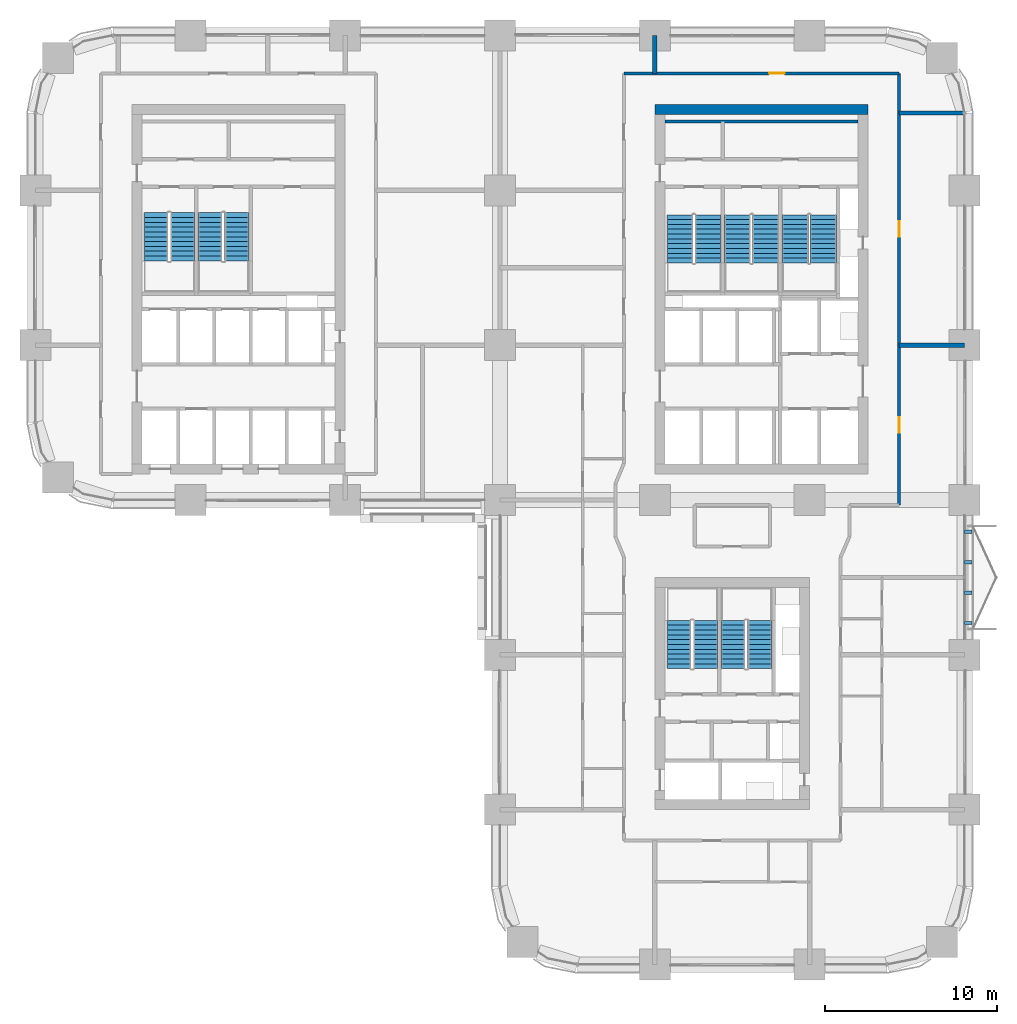
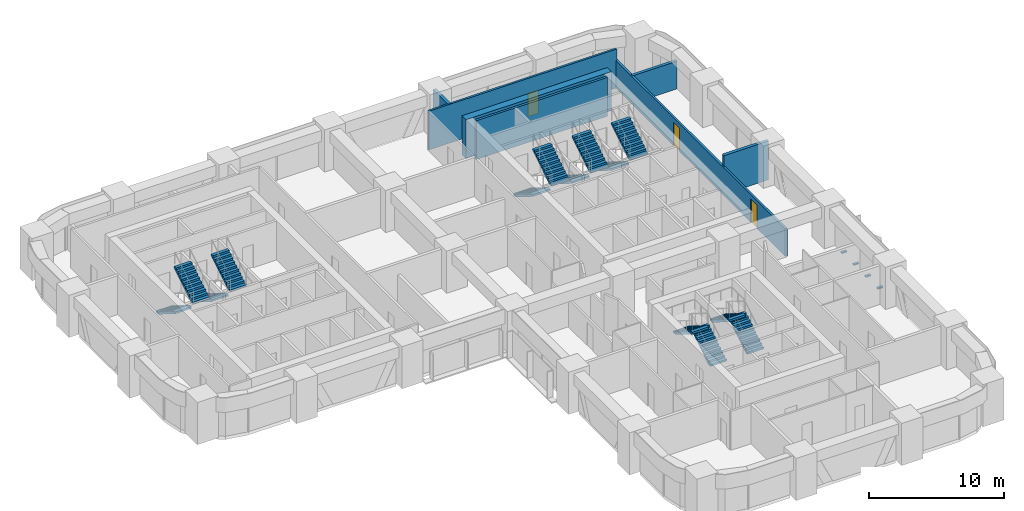
# One storey, part 16 of 18: 14 stair flights, 7 walls, 4 discrete accessories, 3 doors, 3 openings, 7 elements without a shape of their own.
"""IFC4 building model written with IfcOpenShell, lengths in metres."""

from ifc_helpers import new_model, si_unit, direction, frame, frame_2d, origin, origin_2d, place, context, subcontext, project, spatial, polyline, rectangle, outline, extrude, material, layer, layer_set, type_object, element, fill, aggregate, save


model = new_model("IFC4")

# Units and contexts
model_context = context("Model", 3, precision=1e-05, world=origin(), true_north=direction((0.0, 1.0)))
body_context = subcontext(model_context, "Body", "Model", "MODEL_VIEW")
ifc_project = project(units=[si_unit("LENGTHUNIT", "METRE"), si_unit("AREAUNIT", "SQUARE_METRE"), si_unit("VOLUMEUNIT", "CUBIC_METRE"), si_unit("PLANEANGLEUNIT", "RADIAN"), si_unit("MASSUNIT", "GRAM", prefix="KILO")], contexts=[model_context])

# Site, building, storey
site_placement = place(None, origin())
site = spatial("IfcSite", under=ifc_project, at=site_placement, CompositionType="ELEMENT")
building_placement = place(site_placement, origin())
building = spatial("IfcBuilding", under=site, at=building_placement, Name="Tessera Arch", CompositionType="ELEMENT")
storey_placement = place(building_placement, frame((0.0, 0.0, 104.39990234375)))
storey = spatial("IfcBuildingStorey", under=building, at=storey_placement, Name="L24", CompositionType="ELEMENT", Elevation=104.39990234375)

# Walls
ifc_material_1 = material(Name="Gypsum board on steel stud", Category="steel")
ifc_layer_1 = layer(ifc_material_1, 0.125)
ifc_layer_set_1 = layer_set([ifc_layer_1], Name="Core partition 125 EI 60")
wall_type_1 = type_object("IfcWallType", Name="Core partition 125 EI 60", PredefinedType="PARTITIONING", material=ifc_layer_set_1)
wall_1_placement = place(storey_placement, frame((36.60009765625, 49.0, 0.0), z_axis=(0.0, 0.0, 1.0), x_axis=(1.0, 0.0, 0.0)))
element("IfcWall", 1, at=wall_1_placement, inside=storey, type_object=wall_type_1, Name="L24 C1 partition wall 32", PredefinedType="PARTITIONING", context=body_context, shape_type="SweptSolid", body=[
    extrude(rectangle(XDim=11.199951171875, YDim=0.199951171875, at=frame_2d((5.60009765625, 0.0))), origin(), (0.0, 0.0, 1.0), 3.5),
])
ifc_material_2 = material(Name="Concrete C70/85", Category="concrete")
ifc_layer_2 = layer(ifc_material_2, 0.60009765625)
ifc_layer_set_2 = layer_set([ifc_layer_2], Name="Core shell wall 600 C70-85")
wall_type_2 = type_object("IfcWallType", Name="Core shell wall 600 C70-85", PredefinedType="SHEAR", material=ifc_layer_set_2)
wall_2_placement = place(storey_placement, frame((36.0, 49.699951171875, 0.0), z_axis=(0.0, 0.0, 1.0), x_axis=(1.0, 0.0, 0.0)))
element("IfcWall", 2, at=wall_2_placement, inside=storey, type_object=wall_type_2, Name="L24 C1 core wall N", PredefinedType="SHEAR", context=body_context, shape_type="SweptSolid", body=[
    extrude(rectangle(XDim=12.39990234375, YDim=0.60009765625, at=frame_2d((6.199951171875, 0.0))), origin(), (0.0, 0.0, 1.0), 3.5),
])

# Wall, opening, door
ifc_material_3 = material(Name="Gypsum board on deep steel stud with mineral wool", Category="steel")
ifc_layer_3 = layer(ifc_material_3, 0.175048828125)
ifc_layer_set_3 = layer_set([ifc_layer_3], Name="Corridor wall 175 EI 60")
wall_type_3 = type_object("IfcWallType", Name="Corridor wall 175 EI 60", PredefinedType="PARTITIONING", material=ifc_layer_set_3)
wall_3_placement = place(storey_placement, frame((34.199951171875, 51.800048828125, 0.0), z_axis=(0.0, 0.0, 1.0), x_axis=(1.0, 0.0, 0.0)))
wall_3 = element("IfcWall", 3, at=wall_3_placement, inside=storey, type_object=wall_type_3, Name="L24 partition 8", PredefinedType="PARTITIONING", context=body_context, shape_type="SweptSolid", body=[
    extrude(rectangle(XDim=16.0, YDim=0.175048828125, at=frame_2d((8.0, 0.0))), origin(), (0.0, 0.0, 1.0), 3.5),
])
opening_1_placement = place(wall_3_placement, frame((8.449951171875, 0.0, 0.0)))
opening_1 = element("IfcOpeningElement", 4, at=opening_1_placement, cuts=wall_3, Name="Opening L24-D033", PredefinedType="OPENING", context=body_context, shape_type="SweptSolid", body=[
    extrude(rectangle(XDim=0.89990234375, YDim=2.10009765625, at=frame_2d((0.449951171875, 1.050048828125))), frame((0.0, 0.097412109375, 0.0), z_axis=(0.0, -1.0, 0.0), x_axis=(1.0, 0.0, 0.0)), (0.0, 0.0, 1.0), 0.195068359375),
])
ifc_material_4 = material(Name="Timber door leaf", Category="wood")
door_type = type_object("IfcDoorType", Name="Room door 900 x 2100", OperationType="SINGLE_SWING_LEFT", PredefinedType="DOOR", material=ifc_material_4)
door_1_placement = place(opening_1_placement, origin())
door_1 = element("IfcDoor", 5, at=door_1_placement, inside=storey, type_object=door_type, Name="L24 door D033 type D01", OperationType="SINGLE_SWING_LEFT", OverallHeight=2.10009765625, OverallWidth=0.89990234375, PredefinedType="DOOR", context=body_context, shape_type="SweptSolid", body=[
    extrude(rectangle(XDim=0.89990234375, YDim=2.10009765625, at=frame_2d((0.449951171875, 1.050048828125))), frame((0.0, 0.02490234375, 0.0), z_axis=(0.0, -1.0, 0.0), x_axis=(1.0, 0.0, 0.0)), (0.0, 0.0, 1.0), 0.050048828125),
])
fill(opening_1, door_1)

# Wall, openings, doors
wall_4_placement = place(storey_placement, frame((50.199951171875, 26.699951171875, 0.0), z_axis=(0.0, 0.0, 1.0), x_axis=(0.0, 1.0, 0.0)))
wall_4 = element("IfcWall", 6, at=wall_4_placement, inside=storey, type_object=wall_type_3, Name="L24 partition 18", PredefinedType="PARTITIONING", context=body_context, shape_type="SweptSolid", body=[
    extrude(rectangle(XDim=25.10009765625, YDim=0.175048828125, at=frame_2d((12.550048828125, 0.0))), origin(), (0.0, 0.0, 1.0), 2.5),
])
opening_2_placement = place(wall_4_placement, frame((4.199951171875, 0.0, 0.0)))
opening_2 = element("IfcOpeningElement", 7, at=opening_2_placement, cuts=wall_4, Name="Opening L24-D019", PredefinedType="OPENING", context=body_context, shape_type="SweptSolid", body=[
    extrude(rectangle(XDim=0.89990234375, YDim=2.10009765625, at=frame_2d((0.449951171875, 1.050048828125))), frame((0.0, 0.097412109375, 0.0), z_axis=(0.0, -1.0, 0.0), x_axis=(1.0, 0.0, 0.0)), (0.0, 0.0, 1.0), 0.195068359375),
])
opening_3_placement = place(wall_4_placement, frame((15.60009765625, 0.0, 0.0)))
opening_3 = element("IfcOpeningElement", 8, at=opening_3_placement, cuts=wall_4, Name="Opening L24-D029", PredefinedType="OPENING", context=body_context, shape_type="SweptSolid", body=[
    extrude(rectangle(XDim=0.89990234375, YDim=2.10009765625, at=frame_2d((0.449951171875, 1.050048828125))), frame((0.0, 0.097412109375, 0.0), z_axis=(0.0, -1.0, 0.0), x_axis=(1.0, 0.0, 0.0)), (0.0, 0.0, 1.0), 0.195068359375),
])
door_2_placement = place(opening_2_placement, origin())
door_2 = element("IfcDoor", 9, at=door_2_placement, inside=storey, type_object=door_type, Name="L24 door D019 type D01", OperationType="SINGLE_SWING_RIGHT", OverallHeight=2.10009765625, OverallWidth=0.89990234375, PredefinedType="DOOR", context=body_context, shape_type="SweptSolid", body=[
    extrude(rectangle(XDim=0.89990234375, YDim=2.10009765625, at=frame_2d((0.449951171875, 1.050048828125))), frame((0.0, 0.02490234375, 0.0), z_axis=(0.0, -1.0, 0.0), x_axis=(1.0, 0.0, 0.0)), (0.0, 0.0, 1.0), 0.050048828125),
])
fill(opening_2, door_2)
door_3_placement = place(opening_3_placement, origin())
door_3 = element("IfcDoor", 10, at=door_3_placement, inside=storey, type_object=door_type, Name="L24 door D029 type D01", OperationType="SINGLE_SWING_RIGHT", OverallHeight=2.10009765625, OverallWidth=0.89990234375, PredefinedType="DOOR", context=body_context, shape_type="SweptSolid", body=[
    extrude(rectangle(XDim=0.89990234375, YDim=2.10009765625, at=frame_2d((0.449951171875, 1.050048828125))), frame((0.0, 0.02490234375, 0.0), z_axis=(0.0, -1.0, 0.0), x_axis=(1.0, 0.0, 0.0)), (0.0, 0.0, 1.0), 0.050048828125),
])
fill(opening_3, door_3)

# Walls
ifc_material_5 = material(Name="Double gypsum board on twin steel stud with acoustic mineral wool", Category="steel")
ifc_layer_4 = layer(ifc_material_5, 0.25)
ifc_layer_set_4 = layer_set([ifc_layer_4], Name="Party wall 250 EI 60")
wall_type_4 = type_object("IfcWallType", Name="Party wall 250 EI 60", PredefinedType="PARTITIONING", material=ifc_layer_set_4)
wall_5_placement = place(storey_placement, frame((50.199951171875, 36.0, 0.0), z_axis=(0.0, 0.0, 1.0), x_axis=(1.0, 0.0, 0.0)))
element("IfcWall", 11, at=wall_5_placement, inside=storey, type_object=wall_type_4, Name="L24 partition 33", PredefinedType="PARTITIONING", context=body_context, shape_type="SweptSolid", body=[
    extrude(rectangle(XDim=3.800048828125, YDim=0.25, at=frame_2d((1.89990234375, 0.0))), origin(), (0.0, 0.0, 1.0), 3.5),
])
wall_6_placement = place(storey_placement, frame((50.199951171875, 49.5, 0.0), z_axis=(0.0, 0.0, 1.0), x_axis=(1.0, 0.0, 0.0)))
element("IfcWall", 12, at=wall_6_placement, inside=storey, type_object=wall_type_4, Name="L24 partition 37", PredefinedType="PARTITIONING", context=body_context, shape_type="SweptSolid", body=[
    extrude(rectangle(XDim=3.800048828125, YDim=0.25, at=frame_2d((1.89990234375, 0.0))), origin(), (0.0, 0.0, 1.0), 2.5),
])
wall_7_placement = place(storey_placement, frame((36.0, 51.800048828125, 0.0), z_axis=(0.0, 0.0, 1.0), x_axis=(0.0, 1.0, 0.0)))
element("IfcWall", 13, at=wall_7_placement, inside=storey, type_object=wall_type_4, Name="L24 partition 45", PredefinedType="PARTITIONING", context=body_context, shape_type="SweptSolid", body=[
    extrude(rectangle(XDim=2.199951171875, YDim=0.25, at=frame_2d((1.10009765625, 0.0))), origin(), (0.0, 0.0, 1.0), 3.5),
])

# Stair, stair flights
ifc_material_6 = material(Name="Concrete C40/50", Category="concrete")
stair_type_1 = type_object("IfcStairType", Name="Dogleg stair 1400", PredefinedType="HALF_TURN_STAIR", material=ifc_material_6)
stair_1_placement = place(storey_placement, origin())
stair_1 = element("IfcStair", 14, at=stair_1_placement, inside=storey, type_object=stair_type_1, Name="L24 S2a", PredefinedType="HALF_TURN_STAIR")
ifc_material_7 = material(Name="Concrete C40/50", Category="concrete")
stair_flight_type_1 = type_object("IfcStairFlightType", Name="Stair flight 1400", PredefinedType="STRAIGHT", material=ifc_material_7)
stair_flight_1_placement = place(storey_placement, frame((7.0, 43.699951171875, 0.0), z_axis=(0.0, 0.0, 1.0), x_axis=(0.0, -1.0, 0.0)))
stair_flight_1 = element("IfcStairFlight", 15, at=stair_flight_1_placement, type_object=stair_flight_type_1, Name="S2a flight 1", NumberOfRisers=11, NumberOfTreads=10, PredefinedType="STRAIGHT", RiserHeight=0.172727273, TreadLength=0.28, context=body_context, shape_type="SweptSolid", body=[
    extrude(outline(polyline([(0.0, 0.0), (0.0, 0.172607421875), (0.280029296875, 0.172607421875), (0.280029296875, 0.345458984375), (0.56005859375, 0.345458984375), (0.56005859375, 0.51806640625), (0.840087890625, 0.51806640625), (0.840087890625, 0.69091796875), (1.1201171875, 0.69091796875), (1.1201171875, 0.863525390625), (1.39990234375, 0.863525390625), (1.39990234375, 1.036376953125), (1.679931640625, 1.036376953125), (1.679931640625, 1.208984375), (1.9599609375, 1.208984375), (1.9599609375, 1.3818359375), (2.239990234375, 1.3818359375), (2.239990234375, 1.554443359375), (2.52001953125, 1.554443359375), (2.52001953125, 1.727294921875), (2.800048828125, 1.727294921875), (2.800048828125, 1.89990234375), (2.800048828125, 1.551025390625), (0.285400390625, 0.0), (0.0, 0.0)])), frame((0.0, 0.699951171875, 0.0), z_axis=(0.0, -1.0, 0.0), x_axis=(1.0, 0.0, 0.0)), (0.0, 0.0, 1.0), 1.39990234375),
])
stair_flight_2_placement = place(storey_placement, frame((8.550048828125, 40.89990234375, 1.900146484375), z_axis=(0.0, 0.0, 1.0), x_axis=(0.0, 1.0, 0.0)))
stair_flight_2 = element("IfcStairFlight", 16, at=stair_flight_2_placement, type_object=stair_flight_type_1, Name="S2a flight 2", NumberOfRisers=11, NumberOfTreads=10, PredefinedType="STRAIGHT", RiserHeight=0.172727273, TreadLength=0.28, context=body_context, shape_type="SweptSolid", body=[
    extrude(outline(polyline([(0.0, 0.0), (0.0, 0.172607421875), (0.280029296875, 0.172607421875), (0.280029296875, 0.345458984375), (0.56005859375, 0.345458984375), (0.56005859375, 0.51806640625), (0.840087890625, 0.51806640625), (0.840087890625, 0.69091796875), (1.1201171875, 0.69091796875), (1.1201171875, 0.863525390625), (1.39990234375, 0.863525390625), (1.39990234375, 1.036376953125), (1.679931640625, 1.036376953125), (1.679931640625, 1.208984375), (1.9599609375, 1.208984375), (1.9599609375, 1.3818359375), (2.239990234375, 1.3818359375), (2.239990234375, 1.554443359375), (2.52001953125, 1.554443359375), (2.52001953125, 1.727294921875), (2.800048828125, 1.727294921875), (2.800048828125, 1.89990234375), (2.800048828125, 1.551025390625), (0.285400390625, 0.0), (0.0, 0.0)])), frame((0.0, 0.699951171875, 0.0), z_axis=(0.0, -1.0, 0.0), x_axis=(1.0, 0.0, 0.0)), (0.0, 0.0, 1.0), 1.39990234375),
])
aggregate(stair_1, [stair_flight_1, stair_flight_2])

stair_2_placement = place(storey_placement, origin())
stair_2 = element("IfcStair", 17, at=stair_2_placement, inside=storey, type_object=stair_type_1, Name="L24 S2b", PredefinedType="HALF_TURN_STAIR")
stair_flight_3_placement = place(storey_placement, frame((10.14990234375, 43.699951171875, 0.0), z_axis=(0.0, 0.0, 1.0), x_axis=(0.0, -1.0, 0.0)))
stair_flight_3 = element("IfcStairFlight", 18, at=stair_flight_3_placement, type_object=stair_flight_type_1, Name="S2b flight 1", NumberOfRisers=11, NumberOfTreads=10, PredefinedType="STRAIGHT", RiserHeight=0.172727273, TreadLength=0.28, context=body_context, shape_type="SweptSolid", body=[
    extrude(outline(polyline([(0.0, 0.0), (0.0, 0.172607421875), (0.280029296875, 0.172607421875), (0.280029296875, 0.345458984375), (0.56005859375, 0.345458984375), (0.56005859375, 0.51806640625), (0.840087890625, 0.51806640625), (0.840087890625, 0.69091796875), (1.1201171875, 0.69091796875), (1.1201171875, 0.863525390625), (1.39990234375, 0.863525390625), (1.39990234375, 1.036376953125), (1.679931640625, 1.036376953125), (1.679931640625, 1.208984375), (1.9599609375, 1.208984375), (1.9599609375, 1.3818359375), (2.239990234375, 1.3818359375), (2.239990234375, 1.554443359375), (2.52001953125, 1.554443359375), (2.52001953125, 1.727294921875), (2.800048828125, 1.727294921875), (2.800048828125, 1.89990234375), (2.800048828125, 1.551025390625), (0.285400390625, 0.0), (0.0, 0.0)])), frame((0.0, 0.699951171875, 0.0), z_axis=(0.0, -1.0, 0.0), x_axis=(1.0, 0.0, 0.0)), (0.0, 0.0, 1.0), 1.39990234375),
])
stair_flight_4_placement = place(storey_placement, frame((11.699951171875, 40.89990234375, 1.900146484375), z_axis=(0.0, 0.0, 1.0), x_axis=(0.0, 1.0, 0.0)))
stair_flight_4 = element("IfcStairFlight", 19, at=stair_flight_4_placement, type_object=stair_flight_type_1, Name="S2b flight 2", NumberOfRisers=11, NumberOfTreads=10, PredefinedType="STRAIGHT", RiserHeight=0.172727273, TreadLength=0.28, context=body_context, shape_type="SweptSolid", body=[
    extrude(outline(polyline([(0.0, 0.0), (0.0, 0.172607421875), (0.280029296875, 0.172607421875), (0.280029296875, 0.345458984375), (0.56005859375, 0.345458984375), (0.56005859375, 0.51806640625), (0.840087890625, 0.51806640625), (0.840087890625, 0.69091796875), (1.1201171875, 0.69091796875), (1.1201171875, 0.863525390625), (1.39990234375, 0.863525390625), (1.39990234375, 1.036376953125), (1.679931640625, 1.036376953125), (1.679931640625, 1.208984375), (1.9599609375, 1.208984375), (1.9599609375, 1.3818359375), (2.239990234375, 1.3818359375), (2.239990234375, 1.554443359375), (2.52001953125, 1.554443359375), (2.52001953125, 1.727294921875), (2.800048828125, 1.727294921875), (2.800048828125, 1.89990234375), (2.800048828125, 1.551025390625), (0.285400390625, 0.0), (0.0, 0.0)])), frame((0.0, 0.699951171875, 0.0), z_axis=(0.0, -1.0, 0.0), x_axis=(1.0, 0.0, 0.0)), (0.0, 0.0, 1.0), 1.39990234375),
])
aggregate(stair_2, [stair_flight_3, stair_flight_4])

stair_3_placement = place(storey_placement, origin())
stair_3 = element("IfcStair", 20, at=stair_3_placement, inside=storey, type_object=stair_type_1, Name="L24 S3a", PredefinedType="HALF_TURN_STAIR")
stair_flight_5_placement = place(storey_placement, frame((38.949951171875, 17.199951171875, 0.0), z_axis=(0.0, 0.0, 1.0), x_axis=(0.0, 1.0, 0.0)))
stair_flight_5 = element("IfcStairFlight", 21, at=stair_flight_5_placement, type_object=stair_flight_type_1, Name="S3a flight 1", NumberOfRisers=11, NumberOfTreads=10, PredefinedType="STRAIGHT", RiserHeight=0.172727273, TreadLength=0.28, context=body_context, shape_type="SweptSolid", body=[
    extrude(outline(polyline([(0.0, 0.0), (0.0, 0.172607421875), (0.280029296875, 0.172607421875), (0.280029296875, 0.345458984375), (0.56005859375, 0.345458984375), (0.56005859375, 0.51806640625), (0.840087890625, 0.51806640625), (0.840087890625, 0.69091796875), (1.1201171875, 0.69091796875), (1.1201171875, 0.863525390625), (1.39990234375, 0.863525390625), (1.39990234375, 1.036376953125), (1.679931640625, 1.036376953125), (1.679931640625, 1.208984375), (1.9599609375, 1.208984375), (1.9599609375, 1.3818359375), (2.239990234375, 1.3818359375), (2.239990234375, 1.554443359375), (2.52001953125, 1.554443359375), (2.52001953125, 1.727294921875), (2.800048828125, 1.727294921875), (2.800048828125, 1.89990234375), (2.800048828125, 1.551025390625), (0.285400390625, 0.0), (0.0, 0.0)])), frame((0.0, 0.699951171875, 0.0), z_axis=(0.0, -1.0, 0.0), x_axis=(1.0, 0.0, 0.0)), (0.0, 0.0, 1.0), 1.39990234375),
])
stair_flight_6_placement = place(storey_placement, frame((37.39990234375, 20.0, 1.900146484375), z_axis=(0.0, 0.0, 1.0), x_axis=(0.0, -1.0, 0.0)))
stair_flight_6 = element("IfcStairFlight", 22, at=stair_flight_6_placement, type_object=stair_flight_type_1, Name="S3a flight 2", NumberOfRisers=11, NumberOfTreads=10, PredefinedType="STRAIGHT", RiserHeight=0.172727273, TreadLength=0.28, context=body_context, shape_type="SweptSolid", body=[
    extrude(outline(polyline([(0.0, 0.0), (0.0, 0.172607421875), (0.280029296875, 0.172607421875), (0.280029296875, 0.345458984375), (0.56005859375, 0.345458984375), (0.56005859375, 0.51806640625), (0.840087890625, 0.51806640625), (0.840087890625, 0.69091796875), (1.1201171875, 0.69091796875), (1.1201171875, 0.863525390625), (1.39990234375, 0.863525390625), (1.39990234375, 1.036376953125), (1.679931640625, 1.036376953125), (1.679931640625, 1.208984375), (1.9599609375, 1.208984375), (1.9599609375, 1.3818359375), (2.239990234375, 1.3818359375), (2.239990234375, 1.554443359375), (2.52001953125, 1.554443359375), (2.52001953125, 1.727294921875), (2.800048828125, 1.727294921875), (2.800048828125, 1.89990234375), (2.800048828125, 1.551025390625), (0.285400390625, 0.0), (0.0, 0.0)])), frame((0.0, 0.699951171875, 0.0), z_axis=(0.0, -1.0, 0.0), x_axis=(1.0, 0.0, 0.0)), (0.0, 0.0, 1.0), 1.39990234375),
])
aggregate(stair_3, [stair_flight_5, stair_flight_6])

stair_4_placement = place(storey_placement, origin())
stair_4 = element("IfcStair", 23, at=stair_4_placement, inside=storey, type_object=stair_type_1, Name="L24 S3b", PredefinedType="HALF_TURN_STAIR")
stair_flight_7_placement = place(storey_placement, frame((42.10009765625, 17.199951171875, 0.0), z_axis=(0.0, 0.0, 1.0), x_axis=(0.0, 1.0, 0.0)))
stair_flight_7 = element("IfcStairFlight", 24, at=stair_flight_7_placement, type_object=stair_flight_type_1, Name="S3b flight 1", NumberOfRisers=11, NumberOfTreads=10, PredefinedType="STRAIGHT", RiserHeight=0.172727273, TreadLength=0.28, context=body_context, shape_type="SweptSolid", body=[
    extrude(outline(polyline([(0.0, 0.0), (0.0, 0.172607421875), (0.280029296875, 0.172607421875), (0.280029296875, 0.345458984375), (0.56005859375, 0.345458984375), (0.56005859375, 0.51806640625), (0.840087890625, 0.51806640625), (0.840087890625, 0.69091796875), (1.1201171875, 0.69091796875), (1.1201171875, 0.863525390625), (1.39990234375, 0.863525390625), (1.39990234375, 1.036376953125), (1.679931640625, 1.036376953125), (1.679931640625, 1.208984375), (1.9599609375, 1.208984375), (1.9599609375, 1.3818359375), (2.239990234375, 1.3818359375), (2.239990234375, 1.554443359375), (2.52001953125, 1.554443359375), (2.52001953125, 1.727294921875), (2.800048828125, 1.727294921875), (2.800048828125, 1.89990234375), (2.800048828125, 1.551025390625), (0.285400390625, 0.0), (0.0, 0.0)])), frame((0.0, 0.699951171875, 0.0), z_axis=(0.0, -1.0, 0.0), x_axis=(1.0, 0.0, 0.0)), (0.0, 0.0, 1.0), 1.39990234375),
])
stair_flight_8_placement = place(storey_placement, frame((40.550048828125, 20.0, 1.900146484375), z_axis=(0.0, 0.0, 1.0), x_axis=(0.0, -1.0, 0.0)))
stair_flight_8 = element("IfcStairFlight", 25, at=stair_flight_8_placement, type_object=stair_flight_type_1, Name="S3b flight 2", NumberOfRisers=11, NumberOfTreads=10, PredefinedType="STRAIGHT", RiserHeight=0.172727273, TreadLength=0.28, context=body_context, shape_type="SweptSolid", body=[
    extrude(outline(polyline([(0.0, 0.0), (0.0, 0.172607421875), (0.280029296875, 0.172607421875), (0.280029296875, 0.345458984375), (0.56005859375, 0.345458984375), (0.56005859375, 0.51806640625), (0.840087890625, 0.51806640625), (0.840087890625, 0.69091796875), (1.1201171875, 0.69091796875), (1.1201171875, 0.863525390625), (1.39990234375, 0.863525390625), (1.39990234375, 1.036376953125), (1.679931640625, 1.036376953125), (1.679931640625, 1.208984375), (1.9599609375, 1.208984375), (1.9599609375, 1.3818359375), (2.239990234375, 1.3818359375), (2.239990234375, 1.554443359375), (2.52001953125, 1.554443359375), (2.52001953125, 1.727294921875), (2.800048828125, 1.727294921875), (2.800048828125, 1.89990234375), (2.800048828125, 1.551025390625), (0.285400390625, 0.0), (0.0, 0.0)])), frame((0.0, 0.699951171875, 0.0), z_axis=(0.0, -1.0, 0.0), x_axis=(1.0, 0.0, 0.0)), (0.0, 0.0, 1.0), 1.39990234375),
])
aggregate(stair_4, [stair_flight_7, stair_flight_8])

ifc_material_8 = material(Name="Concrete C40/50", Category="concrete")
stair_type_2 = type_object("IfcStairType", Name="Dogleg stair 1520", PredefinedType="HALF_TURN_STAIR", material=ifc_material_8)
stair_5_placement = place(storey_placement, origin())
stair_5 = element("IfcStair", 26, at=stair_5_placement, inside=storey, type_object=stair_type_2, Name="L24 S1a", PredefinedType="HALF_TURN_STAIR")
ifc_material_9 = material(Name="Concrete C40/50", Category="concrete")
stair_flight_type_2 = type_object("IfcStairFlightType", Name="Stair flight 1520", PredefinedType="STRAIGHT", material=ifc_material_9)
stair_flight_9_placement = place(storey_placement, frame((37.4599609375, 43.580078125, 0.0), z_axis=(0.0, 0.0, 1.0), x_axis=(0.0, -1.0, 0.0)))
stair_flight_9 = element("IfcStairFlight", 27, at=stair_flight_9_placement, type_object=stair_flight_type_2, Name="S1a flight 1", NumberOfRisers=11, NumberOfTreads=10, PredefinedType="STRAIGHT", RiserHeight=0.172727273, TreadLength=0.28, context=body_context, shape_type="SweptSolid", body=[
    extrude(outline(polyline([(0.0, 0.0), (0.0, 0.172607421875), (0.280029296875, 0.172607421875), (0.280029296875, 0.345458984375), (0.56005859375, 0.345458984375), (0.56005859375, 0.51806640625), (0.840087890625, 0.51806640625), (0.840087890625, 0.69091796875), (1.1201171875, 0.69091796875), (1.1201171875, 0.863525390625), (1.39990234375, 0.863525390625), (1.39990234375, 1.036376953125), (1.679931640625, 1.036376953125), (1.679931640625, 1.208984375), (1.9599609375, 1.208984375), (1.9599609375, 1.3818359375), (2.239990234375, 1.3818359375), (2.239990234375, 1.554443359375), (2.52001953125, 1.554443359375), (2.52001953125, 1.727294921875), (2.800048828125, 1.727294921875), (2.800048828125, 1.89990234375), (2.800048828125, 1.551025390625), (0.285400390625, 0.0), (0.0, 0.0)])), frame((0.0, 0.760009765625, 0.0), z_axis=(0.0, -1.0, 0.0), x_axis=(1.0, 0.0, 0.0)), (0.0, 0.0, 1.0), 1.52001953125),
])
stair_flight_10_placement = place(storey_placement, frame((39.090087890625, 40.780029296875, 1.900146484375), z_axis=(0.0, 0.0, 1.0), x_axis=(0.0, 1.0, 0.0)))
stair_flight_10 = element("IfcStairFlight", 28, at=stair_flight_10_placement, type_object=stair_flight_type_2, Name="S1a flight 2", NumberOfRisers=11, NumberOfTreads=10, PredefinedType="STRAIGHT", RiserHeight=0.172727273, TreadLength=0.28, context=body_context, shape_type="SweptSolid", body=[
    extrude(outline(polyline([(0.0, 0.0), (0.0, 0.172607421875), (0.280029296875, 0.172607421875), (0.280029296875, 0.345458984375), (0.56005859375, 0.345458984375), (0.56005859375, 0.51806640625), (0.840087890625, 0.51806640625), (0.840087890625, 0.69091796875), (1.1201171875, 0.69091796875), (1.1201171875, 0.863525390625), (1.39990234375, 0.863525390625), (1.39990234375, 1.036376953125), (1.679931640625, 1.036376953125), (1.679931640625, 1.208984375), (1.9599609375, 1.208984375), (1.9599609375, 1.3818359375), (2.239990234375, 1.3818359375), (2.239990234375, 1.554443359375), (2.52001953125, 1.554443359375), (2.52001953125, 1.727294921875), (2.800048828125, 1.727294921875), (2.800048828125, 1.89990234375), (2.800048828125, 1.551025390625), (0.285400390625, 0.0), (0.0, 0.0)])), frame((0.0, 0.760009765625, 0.0), z_axis=(0.0, -1.0, 0.0), x_axis=(1.0, 0.0, 0.0)), (0.0, 0.0, 1.0), 1.52001953125),
])
aggregate(stair_5, [stair_flight_9, stair_flight_10])

stair_6_placement = place(storey_placement, origin())
stair_6 = element("IfcStair", 29, at=stair_6_placement, inside=storey, type_object=stair_type_2, Name="L24 S1b", PredefinedType="HALF_TURN_STAIR")
stair_flight_11_placement = place(storey_placement, frame((40.81005859375, 43.580078125, 0.0), z_axis=(0.0, 0.0, 1.0), x_axis=(0.0, -1.0, 0.0)))
stair_flight_11 = element("IfcStairFlight", 30, at=stair_flight_11_placement, type_object=stair_flight_type_2, Name="S1b flight 1", NumberOfRisers=11, NumberOfTreads=10, PredefinedType="STRAIGHT", RiserHeight=0.172727273, TreadLength=0.28, context=body_context, shape_type="SweptSolid", body=[
    extrude(outline(polyline([(0.0, 0.0), (0.0, 0.172607421875), (0.280029296875, 0.172607421875), (0.280029296875, 0.345458984375), (0.56005859375, 0.345458984375), (0.56005859375, 0.51806640625), (0.840087890625, 0.51806640625), (0.840087890625, 0.69091796875), (1.1201171875, 0.69091796875), (1.1201171875, 0.863525390625), (1.39990234375, 0.863525390625), (1.39990234375, 1.036376953125), (1.679931640625, 1.036376953125), (1.679931640625, 1.208984375), (1.9599609375, 1.208984375), (1.9599609375, 1.3818359375), (2.239990234375, 1.3818359375), (2.239990234375, 1.554443359375), (2.52001953125, 1.554443359375), (2.52001953125, 1.727294921875), (2.800048828125, 1.727294921875), (2.800048828125, 1.89990234375), (2.800048828125, 1.551025390625), (0.285400390625, 0.0), (0.0, 0.0)])), frame((0.0, 0.760009765625, 0.0), z_axis=(0.0, -1.0, 0.0), x_axis=(1.0, 0.0, 0.0)), (0.0, 0.0, 1.0), 1.52001953125),
])
stair_flight_12_placement = place(storey_placement, frame((42.43994140625, 40.780029296875, 1.900146484375), z_axis=(0.0, 0.0, 1.0), x_axis=(0.0, 1.0, 0.0)))
stair_flight_12 = element("IfcStairFlight", 31, at=stair_flight_12_placement, type_object=stair_flight_type_2, Name="S1b flight 2", NumberOfRisers=11, NumberOfTreads=10, PredefinedType="STRAIGHT", RiserHeight=0.172727273, TreadLength=0.28, context=body_context, shape_type="SweptSolid", body=[
    extrude(outline(polyline([(0.0, 0.0), (0.0, 0.172607421875), (0.280029296875, 0.172607421875), (0.280029296875, 0.345458984375), (0.56005859375, 0.345458984375), (0.56005859375, 0.51806640625), (0.840087890625, 0.51806640625), (0.840087890625, 0.69091796875), (1.1201171875, 0.69091796875), (1.1201171875, 0.863525390625), (1.39990234375, 0.863525390625), (1.39990234375, 1.036376953125), (1.679931640625, 1.036376953125), (1.679931640625, 1.208984375), (1.9599609375, 1.208984375), (1.9599609375, 1.3818359375), (2.239990234375, 1.3818359375), (2.239990234375, 1.554443359375), (2.52001953125, 1.554443359375), (2.52001953125, 1.727294921875), (2.800048828125, 1.727294921875), (2.800048828125, 1.89990234375), (2.800048828125, 1.551025390625), (0.285400390625, 0.0), (0.0, 0.0)])), frame((0.0, 0.760009765625, 0.0), z_axis=(0.0, -1.0, 0.0), x_axis=(1.0, 0.0, 0.0)), (0.0, 0.0, 1.0), 1.52001953125),
])
aggregate(stair_6, [stair_flight_11, stair_flight_12])

stair_7_placement = place(storey_placement, origin())
stair_7 = element("IfcStair", 32, at=stair_7_placement, inside=storey, type_object=stair_type_2, Name="L24 S1c", PredefinedType="HALF_TURN_STAIR")
stair_flight_13_placement = place(storey_placement, frame((44.159912109375, 43.580078125, 0.0), z_axis=(0.0, 0.0, 1.0), x_axis=(0.0, -1.0, 0.0)))
stair_flight_13 = element("IfcStairFlight", 33, at=stair_flight_13_placement, type_object=stair_flight_type_2, Name="S1c flight 1", NumberOfRisers=11, NumberOfTreads=10, PredefinedType="STRAIGHT", RiserHeight=0.172727273, TreadLength=0.28, context=body_context, shape_type="SweptSolid", body=[
    extrude(outline(polyline([(0.0, 0.0), (0.0, 0.172607421875), (0.280029296875, 0.172607421875), (0.280029296875, 0.345458984375), (0.56005859375, 0.345458984375), (0.56005859375, 0.51806640625), (0.840087890625, 0.51806640625), (0.840087890625, 0.69091796875), (1.1201171875, 0.69091796875), (1.1201171875, 0.863525390625), (1.39990234375, 0.863525390625), (1.39990234375, 1.036376953125), (1.679931640625, 1.036376953125), (1.679931640625, 1.208984375), (1.9599609375, 1.208984375), (1.9599609375, 1.3818359375), (2.239990234375, 1.3818359375), (2.239990234375, 1.554443359375), (2.52001953125, 1.554443359375), (2.52001953125, 1.727294921875), (2.800048828125, 1.727294921875), (2.800048828125, 1.89990234375), (2.800048828125, 1.551025390625), (0.285400390625, 0.0), (0.0, 0.0)])), frame((0.0, 0.760009765625, 0.0), z_axis=(0.0, -1.0, 0.0), x_axis=(1.0, 0.0, 0.0)), (0.0, 0.0, 1.0), 1.52001953125),
])
stair_flight_14_placement = place(storey_placement, frame((45.7900390625, 40.780029296875, 1.900146484375), z_axis=(0.0, 0.0, 1.0), x_axis=(0.0, 1.0, 0.0)))
stair_flight_14 = element("IfcStairFlight", 34, at=stair_flight_14_placement, type_object=stair_flight_type_2, Name="S1c flight 2", NumberOfRisers=11, NumberOfTreads=10, PredefinedType="STRAIGHT", RiserHeight=0.172727273, TreadLength=0.28, context=body_context, shape_type="SweptSolid", body=[
    extrude(outline(polyline([(0.0, 0.0), (0.0, 0.172607421875), (0.280029296875, 0.172607421875), (0.280029296875, 0.345458984375), (0.56005859375, 0.345458984375), (0.56005859375, 0.51806640625), (0.840087890625, 0.51806640625), (0.840087890625, 0.69091796875), (1.1201171875, 0.69091796875), (1.1201171875, 0.863525390625), (1.39990234375, 0.863525390625), (1.39990234375, 1.036376953125), (1.679931640625, 1.036376953125), (1.679931640625, 1.208984375), (1.9599609375, 1.208984375), (1.9599609375, 1.3818359375), (2.239990234375, 1.3818359375), (2.239990234375, 1.554443359375), (2.52001953125, 1.554443359375), (2.52001953125, 1.727294921875), (2.800048828125, 1.727294921875), (2.800048828125, 1.89990234375), (2.800048828125, 1.551025390625), (0.285400390625, 0.0), (0.0, 0.0)])), frame((0.0, 0.760009765625, 0.0), z_axis=(0.0, -1.0, 0.0), x_axis=(1.0, 0.0, 0.0)), (0.0, 0.0, 1.0), 1.52001953125),
])
aggregate(stair_7, [stair_flight_13, stair_flight_14])

# Discrete accessories
for number, where, z_axis, x_axis, name in (
    (35, (54.219970703125, 19.85009765625, -0.119873046875), (0.0, 0.0, 1.0), (1.0, 0.0, 0.0), "Window box bracket"),
    (36, (54.219970703125, 21.61669921875, -0.119873046875), (0.0, 0.0, 1.0), (1.0, 0.0, 0.0), "Window box bracket"),
    (37, (54.219970703125, 23.38330078125, -0.119873046875), (0.0, 0.0, 1.0), (1.0, 0.0, 0.0), "Window box bracket"),
    (38, (54.219970703125, 25.14990234375, -0.119873046875), (0.0, 0.0, 1.0), (1.0, 0.0, 0.0), "Window box bracket"),
):
    element("IfcDiscreteAccessory", number, at=place(storey_placement, frame(where, z_axis=z_axis, x_axis=x_axis)), inside=storey, Name=name, PredefinedType="BRACKET", context=body_context, shape_type="SweptSolid", body=[
        extrude(rectangle(XDim=0.43994140625, YDim=0.199951171875, at=origin_2d()), origin(), (0.0, 0.0, 1.0), 0.1201171875),
    ])

save(model, "model.ifc")
